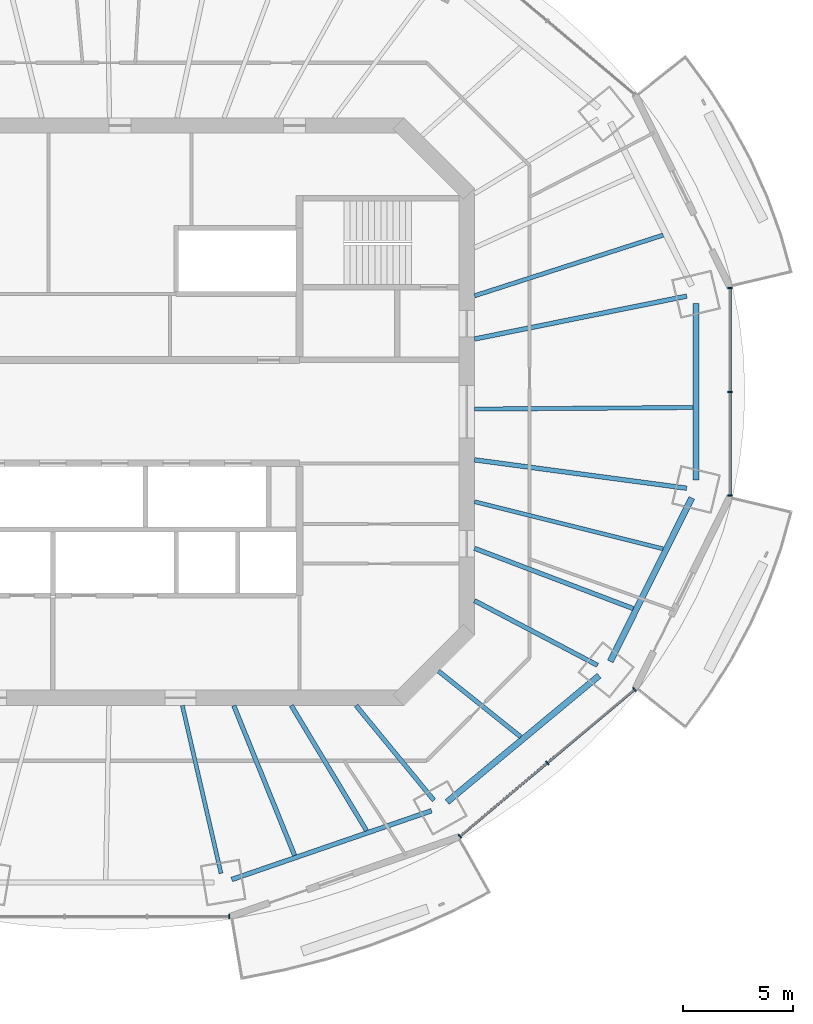
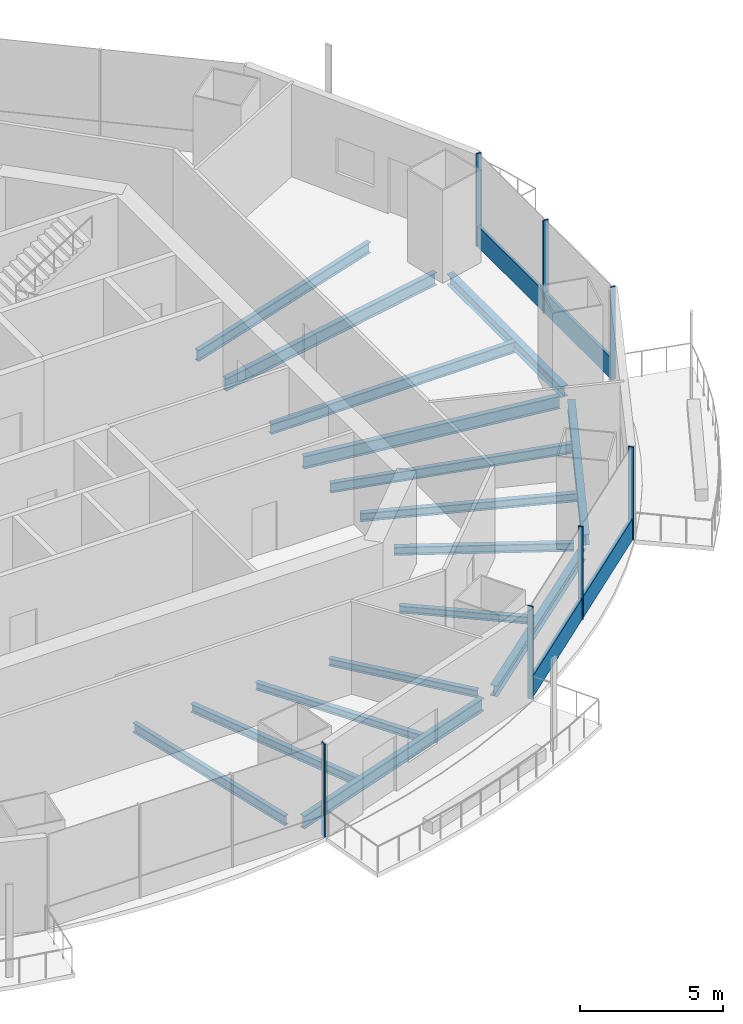
# One storey, part 4 of 16: 16 beams, 9 members, 3 elements without a shape of their own.
"""IFC4 building model written with IfcOpenShell, lengths in metres."""

from ifc_helpers import new_model, si_unit, direction, frame, origin, origin_2d, place, context, subcontext, project, spatial, rectangle, i_section, extrude, material, material_profile, profile_set, type_object, element, aggregate, save


model = new_model("IFC4")

# Units and contexts
model_context = context("Model", 3, precision=1e-05, world=origin(), true_north=direction((0.0, 1.0)))
body_context = subcontext(model_context, "Body", "Model", "MODEL_VIEW")
ifc_project = project(units=[si_unit("LENGTHUNIT", "METRE"), si_unit("AREAUNIT", "SQUARE_METRE"), si_unit("VOLUMEUNIT", "CUBIC_METRE"), si_unit("PLANEANGLEUNIT", "RADIAN"), si_unit("MASSUNIT", "GRAM", prefix="KILO")], contexts=[model_context])

# Site, building, storey
site_placement = place(None, origin())
site = spatial("IfcSite", under=ifc_project, at=site_placement, CompositionType="ELEMENT")
building_placement = place(site_placement, origin())
building = spatial("IfcBuilding", under=site, at=building_placement, Name="Marenthal Gate Tower", CompositionType="ELEMENT")
storey_placement = place(building_placement, frame((0.0, 0.0, 292.800048828125)))
storey = spatial("IfcBuildingStorey", under=building, at=storey_placement, Name="L65", CompositionType="ELEMENT", Elevation=292.800048828125)

# Curtain wall, member
ifc_material_1 = material(Name="Aluminium and glass", Category="aluminium")
curtain_wall_type = type_object("IfcCurtainWallType", Name="Curtain wall typical high", PredefinedType="NOTDEFINED", material=ifc_material_1)
curtain_wall_1_placement = place(storey_placement, origin())
curtain_wall_1 = element("IfcCurtainWall", 1, at=curtain_wall_1_placement, inside=storey, type_object=curtain_wall_type, Name="Curtain wall L65 bay 12", PredefinedType="NOTDEFINED")
ifc_material_2 = material(Name="Aluminium", Category="aluminium")
ifc_material_profile_1 = material_profile(ifc_material_2, rectangle(XDim=0.199951171875, YDim=0.06005859375, at=origin_2d()), Name="60x200 aluminium mullion")
ifc_profile_set_1 = profile_set([ifc_material_profile_1], Name="Aluminium")
member_type_1 = type_object("IfcMemberType", Name="Mullion 60x200 typical high", PredefinedType="MULLION", material=ifc_profile_set_1)
member_1_placement = place(storey_placement, frame((5.211669921875, -22.93603515625, 0.0), z_axis=(0.0, 0.0, 1.0), x_axis=(0.0, 1.0, 0.0)))
member_1 = element("IfcMember", 2, at=member_1_placement, type_object=member_type_1, Name="Mullion L65 bay 12.4", PredefinedType="MULLION", context=body_context, shape_type="SweptSolid", body=[
    extrude(rectangle(XDim=0.199951171875, YDim=0.06005859375, at=origin_2d()), origin(), (0.0, 0.0, 1.0), 3.969970703125),
])
aggregate(curtain_wall_1, [member_1])

# Curtain wall, members
curtain_wall_2_placement = place(storey_placement, origin())
curtain_wall_2 = element("IfcCurtainWall", 3, at=curtain_wall_2_placement, inside=storey, type_object=curtain_wall_type, Name="Curtain wall L65 bay 14", PredefinedType="NOTDEFINED")
member_2_placement = place(storey_placement, frame((15.68896484375, -19.287841796875, 0.0), z_axis=(0.0, 0.0, 1.0), x_axis=(-0.643380191367, 0.76554681722, 0.0)))
member_2 = element("IfcMember", 4, at=member_2_placement, type_object=member_type_1, Name="Mullion L65 bay 14.1", PredefinedType="MULLION", context=body_context, shape_type="SweptSolid", body=[
    extrude(rectangle(XDim=0.199951171875, YDim=0.06005859375, at=origin_2d()), origin(), (0.0, 0.0, 1.0), 3.969970703125),
])
member_3_placement = place(storey_placement, frame((19.6552734375, -15.95458984375, 0.0), z_axis=(0.0, 0.0, 1.0), x_axis=(-0.643380191367, 0.76554681722, 0.0)))
member_3 = element("IfcMember", 5, at=member_3_placement, type_object=member_type_1, Name="Mullion L65 bay 14.2", PredefinedType="MULLION", context=body_context, shape_type="SweptSolid", body=[
    extrude(rectangle(XDim=0.199951171875, YDim=0.06005859375, at=origin_2d()), origin(), (0.0, 0.0, 1.0), 3.969970703125),
])
member_4_placement = place(storey_placement, frame((23.621337890625, -12.621337890625, 0.0), z_axis=(0.0, 0.0, 1.0), x_axis=(-0.643380191367, 0.76554681722, 0.0)))
member_4 = element("IfcMember", 6, at=member_4_placement, type_object=member_type_1, Name="Mullion L65 bay 14.3", PredefinedType="MULLION", context=body_context, shape_type="SweptSolid", body=[
    extrude(rectangle(XDim=0.199951171875, YDim=0.06005859375, at=origin_2d()), origin(), (0.0, 0.0, 1.0), 3.969970703125),
])

curtain_wall_3_placement = place(storey_placement, origin())
curtain_wall_3 = element("IfcCurtainWall", 7, at=curtain_wall_3_placement, inside=storey, type_object=curtain_wall_type, Name="Curtain wall L65 bay 16", PredefinedType="NOTDEFINED")
member_5_placement = place(storey_placement, frame((27.96240234375, -3.811279296875, 0.0), z_axis=(0.0, 0.0, 1.0), x_axis=(-1.0, 0.0, 0.0)))
member_5 = element("IfcMember", 8, at=member_5_placement, type_object=member_type_1, Name="Mullion L65 bay 16.1", PredefinedType="MULLION", context=body_context, shape_type="SweptSolid", body=[
    extrude(rectangle(XDim=0.199951171875, YDim=0.06005859375, at=origin_2d()), origin(), (0.0, 0.0, 1.0), 3.969970703125),
])
member_6_placement = place(storey_placement, frame((27.96240234375, 0.89990234375, 0.0), z_axis=(0.0, 0.0, 1.0), x_axis=(-1.0, 0.0, 0.0)))
member_6 = element("IfcMember", 9, at=member_6_placement, type_object=member_type_1, Name="Mullion L65 bay 16.2", PredefinedType="MULLION", context=body_context, shape_type="SweptSolid", body=[
    extrude(rectangle(XDim=0.199951171875, YDim=0.06005859375, at=origin_2d()), origin(), (0.0, 0.0, 1.0), 3.969970703125),
])
member_7_placement = place(storey_placement, frame((27.96240234375, 5.611328125, 0.0), z_axis=(0.0, 0.0, 1.0), x_axis=(-1.0, 0.0, 0.0)))
member_7 = element("IfcMember", 10, at=member_7_placement, type_object=member_type_1, Name="Mullion L65 bay 16.3", PredefinedType="MULLION", context=body_context, shape_type="SweptSolid", body=[
    extrude(rectangle(XDim=0.199951171875, YDim=0.06005859375, at=origin_2d()), origin(), (0.0, 0.0, 1.0), 3.969970703125),
])

# Member
ifc_material_3 = material(Name="Aluminium", Category="aluminium")
ifc_material_profile_2 = material_profile(ifc_material_3, rectangle(XDim=0.1201171875, YDim=0.89990234375, at=origin_2d()), Name="120x900 aluminium transom")
ifc_profile_set_2 = profile_set([ifc_material_profile_2], Name="Aluminium")
member_type_2 = type_object("IfcMemberType", Name="Transom 120x900 typical high", PredefinedType="USERDEFINED", material=ifc_profile_set_2)
member_8_placement = place(storey_placement, frame((15.7119140625, -19.2685546875, 0.449951171875), z_axis=(0.765547508353, 0.643379368999, 0.0), x_axis=(-0.643379368999, 0.765547508353, 0.0)))
member_8 = element("IfcMember", 11, at=member_8_placement, type_object=member_type_2, Name="Transom L65 bay 14", ObjectType="TRANSOM", PredefinedType="USERDEFINED", context=body_context, shape_type="SweptSolid", body=[
    extrude(rectangle(XDim=0.1201171875, YDim=0.89990234375, at=origin_2d()), origin(), (0.0, 0.0, 1.0), 10.3017578125),
])

aggregate(curtain_wall_2, [member_2, member_3, member_4, member_8])

member_9_placement = place(storey_placement, frame((27.96240234375, -3.78125, 0.449951171875), z_axis=(0.0, 1.0, 0.0), x_axis=(-1.0, 0.0, 0.0)))
member_9 = element("IfcMember", 12, at=member_9_placement, type_object=member_type_2, Name="Transom L65 bay 16", ObjectType="TRANSOM", PredefinedType="USERDEFINED", context=body_context, shape_type="SweptSolid", body=[
    extrude(rectangle(XDim=0.1201171875, YDim=0.89990234375, at=origin_2d()), origin(), (0.0, 0.0, 1.0), 9.362548828125),
])

aggregate(curtain_wall_3, [member_5, member_6, member_7, member_9])

# Beams
ifc_material_4 = material(Name="Steel S355", Category="steel")
ifc_material_profile_3 = material_profile(ifc_material_4, i_section(OverallWidth=0.202880859375, OverallDepth=0.302001953125, WebThickness=0.007568359375, FlangeThickness=0.01318359375, FilletRadius=0.0126953125, at=origin_2d()), Name="W310X60")
ifc_profile_set_3 = profile_set([ifc_material_profile_3], Name="Steel S355")
beam_type_1 = type_object("IfcBeamType", Name="W310X60 beam", PredefinedType="BEAM", material=ifc_profile_set_3)
beam_1_placement = place(storey_placement, frame((18.4482421875, -14.77001953125, -0.3310546875), z_axis=(-0.780604808668, 0.625024905652, 0.0), x_axis=(-0.625024905652, -0.780604808668, 0.0)))
element("IfcBeam", 13, at=beam_1_placement, inside=storey, type_object=beam_type_1, Name="BM-L65-37", PredefinedType="BEAM", context=body_context, shape_type="SweptSolid", body=[
    extrude(i_section(OverallWidth=0.202880859375, OverallDepth=0.302001953125, WebThickness=0.007568359375, FlangeThickness=0.01318359375, FilletRadius=0.0126953125, at=origin_2d()), origin(), (0.0, 0.0, 1.0), 4.782958984375),
])
ifc_material_5 = material(Name="Steel S355", Category="steel")
ifc_material_profile_4 = material_profile(ifc_material_5, i_section(OverallWidth=0.205078125, OverallDepth=0.31005859375, WebThickness=0.009521484375, FlangeThickness=0.016357421875, FilletRadius=0.0126953125, at=origin_2d()), Name="W310X74")
ifc_profile_set_4 = profile_set([ifc_material_profile_4], Name="Steel S355")
beam_type_2 = type_object("IfcBeamType", Name="W310X74 beam", PredefinedType="BEAM", material=ifc_profile_set_4)
beam_2_placement = place(storey_placement, frame((14.508544921875, -17.6533203125, -0.3349609375), z_axis=(-0.634935690931, 0.772564992983, 0.0), x_axis=(-0.772564992983, -0.634935690931, 0.0)))
element("IfcBeam", 14, at=beam_2_placement, inside=storey, type_object=beam_type_2, Name="BM-L65-14", PredefinedType="BEAM", context=body_context, shape_type="SweptSolid", body=[
    extrude(i_section(OverallWidth=0.205078125, OverallDepth=0.31005859375, WebThickness=0.009521484375, FlangeThickness=0.016357421875, FilletRadius=0.0126953125, at=origin_2d()), origin(), (0.0, 0.0, 1.0), 5.570068359375),
])
beam_3_placement = place(storey_placement, frame((11.447509765625, -19.031494140625, -0.3349609375), z_axis=(-0.515453925401, 0.856917295186, 0.0), x_axis=(-0.856917295186, -0.515453925401, 0.0)))
element("IfcBeam", 15, at=beam_3_placement, inside=storey, type_object=beam_type_2, Name="BM-L65-36", PredefinedType="BEAM", context=body_context, shape_type="SweptSolid", body=[
    extrude(i_section(OverallWidth=0.205078125, OverallDepth=0.31005859375, WebThickness=0.009521484375, FlangeThickness=0.016357421875, FilletRadius=0.0126953125, at=origin_2d()), origin(), (0.0, 0.0, 1.0), 6.630126953125),
])
ifc_material_6 = material(Name="Steel S355", Category="steel")
ifc_material_profile_5 = material_profile(ifc_material_6, i_section(OverallWidth=0.205078125, OverallDepth=0.35302734375, WebThickness=0.009521484375, FlangeThickness=0.016845703125, FilletRadius=0.014892578125, at=origin_2d()), Name="W360X79")
ifc_profile_set_5 = profile_set([ifc_material_profile_5], Name="Steel S355")
beam_type_3 = type_object("IfcBeamType", Name="W360X79 beam", PredefinedType="BEAM", material=ifc_profile_set_5)
beam_4_placement = place(storey_placement, frame((21.938720703125, -11.518310546875, -0.3564453125), z_axis=(-0.885394321099, 0.464840721286, 0.0), x_axis=(-0.464840721286, -0.885394321099, 0.0)))
element("IfcBeam", 16, at=beam_4_placement, inside=storey, type_object=beam_type_3, Name="BM-L65-15", PredefinedType="BEAM", context=body_context, shape_type="SweptSolid", body=[
    extrude(i_section(OverallWidth=0.205078125, OverallDepth=0.35302734375, WebThickness=0.009521484375, FlangeThickness=0.016845703125, FilletRadius=0.014892578125, at=origin_2d()), origin(), (0.0, 0.0, 1.0), 6.31201171875),
])
beam_5_placement = place(storey_placement, frame((8.178466796875, -20.156982421875, -0.3564453125), z_axis=(-0.375987442767, 0.926624758401, 0.0), x_axis=(-0.926624758401, -0.375987442767, 0.0)))
element("IfcBeam", 17, at=beam_5_placement, inside=storey, type_object=beam_type_3, Name="BM-L65-35", PredefinedType="BEAM", context=body_context, shape_type="SweptSolid", body=[
    extrude(i_section(OverallWidth=0.205078125, OverallDepth=0.35302734375, WebThickness=0.009521484375, FlangeThickness=0.016845703125, FilletRadius=0.014892578125, at=origin_2d()), origin(), (0.0, 0.0, 1.0), 7.345947265625),
])
beam_6_placement = place(storey_placement, frame((23.560302734375, -8.944091796875, -0.3564453125), z_axis=(-0.934894325314, 0.354926190208, 0.0), x_axis=(-0.354926190208, -0.934894325314, 0.0)))
element("IfcBeam", 18, at=beam_6_placement, inside=storey, type_object=beam_type_3, Name="BM-L65-38", PredefinedType="BEAM", context=body_context, shape_type="SweptSolid", body=[
    extrude(i_section(OverallWidth=0.205078125, OverallDepth=0.35302734375, WebThickness=0.009521484375, FlangeThickness=0.016845703125, FilletRadius=0.014892578125, at=origin_2d()), origin(), (0.0, 0.0, 1.0), 7.71240234375),
])
ifc_material_7 = material(Name="Steel S355", Category="steel")
ifc_material_profile_6 = material_profile(ifc_material_7, i_section(OverallWidth=0.180908203125, OverallDepth=0.4169921875, WebThickness=0.010986328125, FlangeThickness=0.018310546875, FilletRadius=0.01025390625, at=origin_2d()), Name="W410X85")
ifc_profile_set_6 = profile_set([ifc_material_profile_6], Name="Steel S355")
beam_type_4 = type_object("IfcBeamType", Name="W410X85 beam", PredefinedType="BEAM", material=ifc_profile_set_6)
beam_7_placement = place(storey_placement, frame((4.83740234375, -20.970458984375, -0.388427734375), z_axis=(-0.224770586687, 0.974411711424, 0.0), x_axis=(-0.974411711424, -0.224770586687, 0.0)))
element("IfcBeam", 19, at=beam_7_placement, inside=storey, type_object=beam_type_4, Name="BM-L65-13", PredefinedType="BEAM", context=body_context, shape_type="SweptSolid", body=[
    extrude(i_section(OverallWidth=0.180908203125, OverallDepth=0.4169921875, WebThickness=0.010986328125, FlangeThickness=0.018310546875, FilletRadius=0.01025390625, at=origin_2d()), origin(), (0.0, 0.0, 1.0), 7.820556640625),
])
beam_8_placement = place(storey_placement, frame((24.91357421875, -6.228759765625, -0.388427734375), z_axis=(-0.970142500145, 0.242535625036, 0.0), x_axis=(-0.242535625036, -0.970142500145, 0.0)))
element("IfcBeam", 20, at=beam_8_placement, inside=storey, type_object=beam_type_4, Name="BM-L65-39", PredefinedType="BEAM", context=body_context, shape_type="SweptSolid", body=[
    extrude(i_section(OverallWidth=0.180908203125, OverallDepth=0.4169921875, WebThickness=0.010986328125, FlangeThickness=0.018310546875, FilletRadius=0.01025390625, at=origin_2d()), origin(), (0.0, 0.0, 1.0), 8.8271484375),
])
ifc_material_8 = material(Name="Steel S355", Category="steel")
ifc_material_profile_7 = material_profile(ifc_material_8, i_section(OverallWidth=0.279052734375, OverallDepth=0.4619140625, WebThickness=0.0107421875, FlangeThickness=0.017333984375, FilletRadius=0.010009765625, at=origin_2d()), Name="W460X113")
ifc_profile_set_7 = profile_set([ifc_material_profile_7], Name="Steel S355")
beam_type_5 = type_object("IfcBeamType", Name="W460X113 beam", PredefinedType="BEAM", material=ifc_profile_set_7)
beam_9_placement = place(storey_placement, frame((15.10791015625, -17.727783203125, -0.4111328125), z_axis=(0.769034611426, 0.639207138906, 0.0), x_axis=(-0.639207138906, 0.769034611426, 0.0)))
element("IfcBeam", 21, at=beam_9_placement, inside=storey, type_object=beam_type_5, Name="BM-L65-54", PredefinedType="BEAM", context=body_context, shape_type="SweptSolid", body=[
    extrude(i_section(OverallWidth=0.279052734375, OverallDepth=0.4619140625, WebThickness=0.0107421875, FlangeThickness=0.017333984375, FilletRadius=0.010009765625, at=origin_2d()), origin(), (0.0, 0.0, 1.0), 8.9736328125),
])
beam_10_placement = place(storey_placement, frame((22.5185546875, -11.34716796875, -0.4111328125), z_axis=(0.446025836929, 0.895020085133, 0.0), x_axis=(-0.895020085133, 0.446025836929, 0.0)))
element("IfcBeam", 22, at=beam_10_placement, inside=storey, type_object=beam_type_5, Name="BM-L65-55", PredefinedType="BEAM", context=body_context, shape_type="SweptSolid", body=[
    extrude(i_section(OverallWidth=0.279052734375, OverallDepth=0.4619140625, WebThickness=0.0107421875, FlangeThickness=0.017333984375, FilletRadius=0.010009765625, at=origin_2d()), origin(), (0.0, 0.0, 1.0), 8.306884765625),
])
beam_11_placement = place(storey_placement, frame((26.41259765625, -3.107666015625, -0.4111328125), z_axis=(0.0, 1.0, 0.0), x_axis=(-1.0, 0.0, 0.0)))
element("IfcBeam", 23, at=beam_11_placement, inside=storey, type_object=beam_type_5, Name="BM-L65-56", PredefinedType="BEAM", context=body_context, shape_type="SweptSolid", body=[
    extrude(i_section(OverallWidth=0.279052734375, OverallDepth=0.4619140625, WebThickness=0.0107421875, FlangeThickness=0.017333984375, FilletRadius=0.010009765625, at=origin_2d()), origin(), (0.0, 0.0, 1.0), 8.015380859375),
])
ifc_material_9 = material(Name="Steel S355", Category="steel")
ifc_material_profile_8 = material_profile(ifc_material_9, i_section(OverallWidth=0.193115234375, OverallDepth=0.467041015625, WebThickness=0.011474609375, FlangeThickness=0.01904296875, FilletRadius=0.010009765625, at=origin_2d()), Name="W460X97")
ifc_profile_set_8 = profile_set([ifc_material_profile_8], Name="Steel S355")
beam_type_6 = type_object("IfcBeamType", Name="W460X97 beam", PredefinedType="BEAM", material=ifc_profile_set_8)
beam_12_placement = place(storey_placement, frame((24.917724609375, 8.020263671875, -0.41357421875), z_axis=(-0.951901194781, -0.306405149068, 0.0), x_axis=(0.306405149068, -0.951901194781, 0.0)))
element("IfcBeam", 24, at=beam_12_placement, inside=storey, type_object=beam_type_6, Name="BM-L65-17", PredefinedType="BEAM", context=body_context, shape_type="SweptSolid", body=[
    extrude(i_section(OverallWidth=0.193115234375, OverallDepth=0.467041015625, WebThickness=0.011474609375, FlangeThickness=0.01904296875, FilletRadius=0.010009765625, at=origin_2d()), origin(), (0.0, 0.0, 1.0), 9.00048828125),
])
beam_13_placement = place(storey_placement, frame((26.273193359375, 0.189697265625, -0.41357421875), z_axis=(-0.999974017911, -0.007208571466, 0.0), x_axis=(0.007208571466, -0.999974017911, 0.0)))
element("IfcBeam", 25, at=beam_13_placement, inside=storey, type_object=beam_type_6, Name="BM-L65-40", PredefinedType="BEAM", context=body_context, shape_type="SweptSolid", body=[
    extrude(i_section(OverallWidth=0.193115234375, OverallDepth=0.467041015625, WebThickness=0.011474609375, FlangeThickness=0.01904296875, FilletRadius=0.010009765625, at=origin_2d()), origin(), (0.0, 0.0, 1.0), 9.92333984375),
])
ifc_material_10 = material(Name="Steel S355", Category="steel")
ifc_material_profile_9 = material_profile(ifc_material_10, i_section(OverallWidth=0.2099609375, OverallDepth=0.535888671875, WebThickness=0.010986328125, FlangeThickness=0.017333984375, FilletRadius=0.0126953125, at=origin_2d()), Name="W530X101")
ifc_profile_set_9 = profile_set([ifc_material_profile_9], Name="Steel S355")
beam_type_7 = type_object("IfcBeamType", Name="W530X101 beam", PredefinedType="BEAM", material=ifc_profile_set_9)
beam_14_placement = place(storey_placement, frame((25.99560546875, 5.248779296875, -0.447998046875), z_axis=(-0.980219271394, -0.197914577501, 0.0), x_axis=(0.197914577501, -0.980219271394, 0.0)))
element("IfcBeam", 26, at=beam_14_placement, inside=storey, type_object=beam_type_7, Name="BM-L65-01", PredefinedType="BEAM", context=body_context, shape_type="SweptSolid", body=[
    extrude(i_section(OverallWidth=0.2099609375, OverallDepth=0.535888671875, WebThickness=0.010986328125, FlangeThickness=0.017333984375, FilletRadius=0.0126953125, at=origin_2d()), origin(), (0.0, 0.0, 1.0), 9.840087890625),
])
beam_15_placement = place(storey_placement, frame((25.98681640625, -3.47607421875, -0.447998046875), z_axis=(-0.991171668427, 0.132584779319, 0.0), x_axis=(-0.132584779319, -0.991171668427, 0.0)))
element("IfcBeam", 27, at=beam_15_placement, inside=storey, type_object=beam_type_7, Name="BM-L65-16", PredefinedType="BEAM", context=body_context, shape_type="SweptSolid", body=[
    extrude(i_section(OverallWidth=0.2099609375, OverallDepth=0.535888671875, WebThickness=0.010986328125, FlangeThickness=0.017333984375, FilletRadius=0.0126953125, at=origin_2d()), origin(), (0.0, 0.0, 1.0), 9.72265625),
])
ifc_material_11 = material(Name="Steel S355", Category="steel")
ifc_material_profile_10 = material_profile(ifc_material_11, i_section(OverallWidth=0.2119140625, OverallDepth=0.5439453125, WebThickness=0.01318359375, FlangeThickness=0.021240234375, FilletRadius=0.0126953125, at=origin_2d()), Name="W530X123")
ifc_profile_set_10 = profile_set([ifc_material_profile_10], Name="Steel S355")
beam_type_8 = type_object("IfcBeamType", Name="W530X123 beam", PredefinedType="BEAM", material=ifc_profile_set_10)
beam_16_placement = place(storey_placement, frame((5.32373046875, -21.251953125, -0.4521484375), z_axis=(0.945528342473, 0.325539788013, 0.0), x_axis=(-0.325539788013, 0.945528342473, 0.0)))
element("IfcBeam", 28, at=beam_16_placement, inside=storey, type_object=beam_type_8, Name="BM-L65-53", PredefinedType="BEAM", context=body_context, shape_type="SweptSolid", body=[
    extrude(i_section(OverallWidth=0.2119140625, OverallDepth=0.5439453125, WebThickness=0.01318359375, FlangeThickness=0.021240234375, FilletRadius=0.0126953125, at=origin_2d()), origin(), (0.0, 0.0, 1.0), 9.595703125),
])

save(model, "model.ifc")
